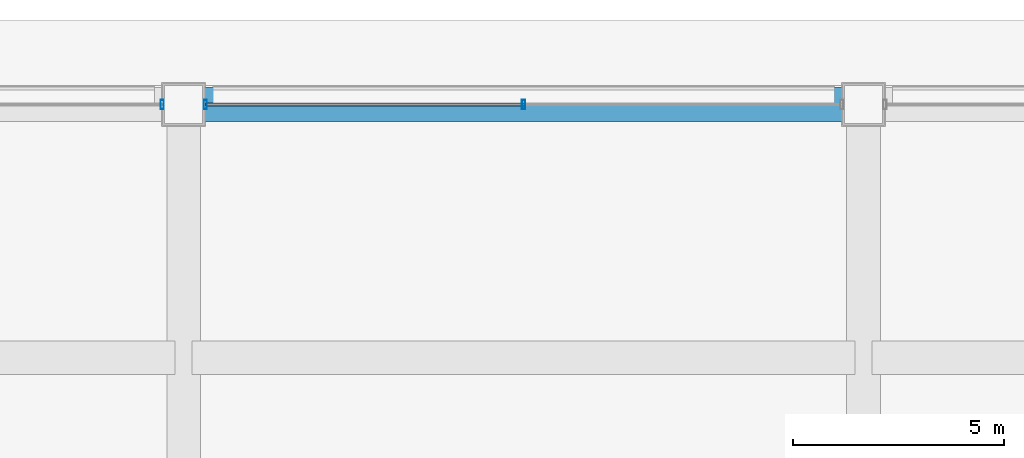
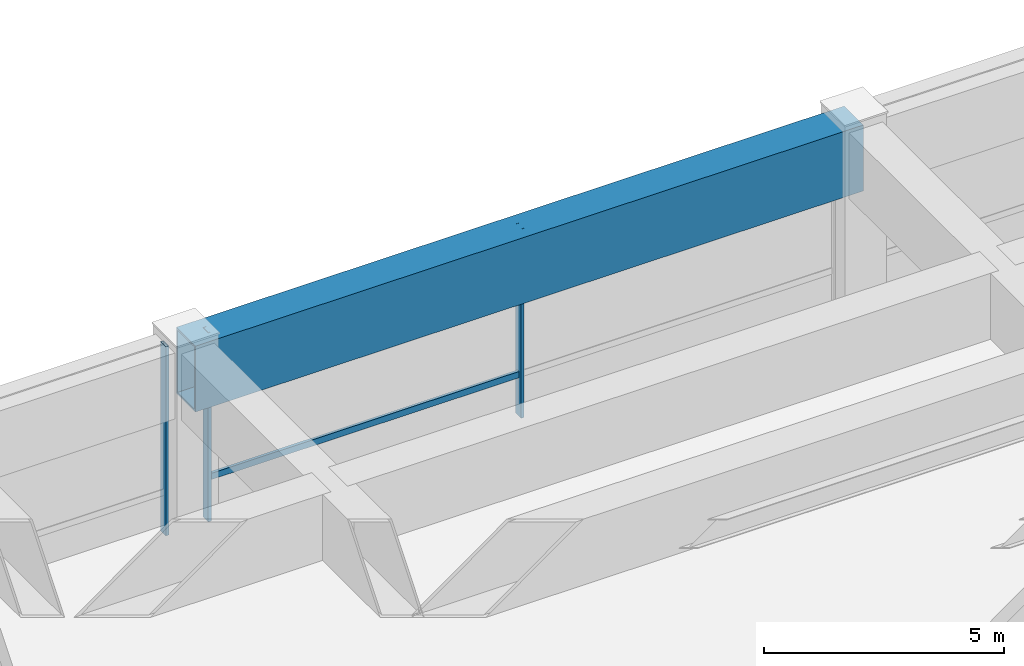
# One storey, part 19 of 30: 4 members, 1 beam, 2 elements without a shape of their own.
"""IFC4 building model written with IfcOpenShell, lengths in metres."""

from ifc_helpers import new_model, si_unit, direction, frame, origin, origin_2d, place, context, subcontext, project, spatial, hollow_rectangle, extrude, material, layer, layer_set, material_profile, profile_set, type_object, element, aggregate, save


model = new_model("IFC4")

# Units and contexts
model_context = context("Model", 3, precision=1e-05, world=origin(), true_north=direction((0.0, 1.0)))
body_context = subcontext(model_context, "Body", "Model", "MODEL_VIEW")
ifc_project = project(units=[si_unit("LENGTHUNIT", "METRE"), si_unit("AREAUNIT", "SQUARE_METRE"), si_unit("VOLUMEUNIT", "CUBIC_METRE"), si_unit("PLANEANGLEUNIT", "RADIAN"), si_unit("MASSUNIT", "GRAM", prefix="KILO")], contexts=[model_context])

# Site, building, storey
site_placement = place(None, origin())
site = spatial("IfcSite", under=ifc_project, at=site_placement, CompositionType="ELEMENT")
building_placement = place(site_placement, origin())
building = spatial("IfcBuilding", under=site, at=building_placement, Name="Brelmoor Portico Tower", CompositionType="ELEMENT")
storey_placement = place(building_placement, frame((0.0, 0.0, 19.199951171875)))
storey = spatial("IfcBuildingStorey", under=building, at=storey_placement, Name="L04", CompositionType="ELEMENT", Elevation=19.199951171875)

# Beam
ifc_material_1 = material(Name="Steel Q355B", Category="steel")
ifc_material_profile_1 = material_profile(ifc_material_1, hollow_rectangle(XDim=0.800048828125, YDim=1.679931640625, WallThickness=0.044921875, at=origin_2d()), Name="BOX 800x1680x45")
ifc_profile_set_1 = profile_set([ifc_material_profile_1], Name="Steel Q355B")
beam_type = type_object("IfcBeamType", Name="BM-TG-Z1", PredefinedType="BEAM", material=ifc_profile_set_1)
beam_placement = place(storey_placement, frame((-8.050048828125, 27.550048828125, 3.760009765625), z_axis=(1.0, 0.0, 0.0), x_axis=(0.0, 1.0, 0.0)))
element("IfcBeam", 1, at=beam_placement, inside=storey, type_object=beam_type, Name="L04 Perimeter Transfer Beam SP-11", PredefinedType="BEAM", context=body_context, shape_type="SweptSolid", body=[
    extrude(hollow_rectangle(XDim=0.800048828125, YDim=1.679931640625, WallThickness=0.044921875, at=origin_2d()), origin(), (0.0, 0.0, 1.0), 16.10009765625),
])

# Curtain wall, member
ifc_material_2 = material(Name="Anodised Aluminium Alloy 6063-T6", Category="aluminium")
ifc_layer = layer(ifc_material_2, 0.179931640625)
ifc_layer_set = layer_set([ifc_layer], Name="Anodised Aluminium Alloy 6063-T6")
curtain_wall_type = type_object("IfcCurtainWallType", Name="CW-PODIUM-ARCH", PredefinedType="NOTDEFINED", material=ifc_layer_set)
curtain_wall_1_placement = place(storey_placement, origin())
curtain_wall_1 = element("IfcCurtainWall", 2, at=curtain_wall_1_placement, inside=storey, type_object=curtain_wall_type, Name="L04 Curtain Wall CW-L04-02-3", PredefinedType="NOTDEFINED")
ifc_material_profile_2 = material_profile(ifc_material_2, hollow_rectangle(XDim=0.074951171875, YDim=0.219970703125, WallThickness=0.0048828125, at=origin_2d()), Name="ALU MULLION 75x220")
ifc_profile_set_2 = profile_set([ifc_material_profile_2], Name="Anodised Aluminium Alloy 6063-T6")
member_type_1 = type_object("IfcMemberType", Name="MB-CW-MULL-220", PredefinedType="MULLION", material=ifc_profile_set_2)
member_1_placement = place(storey_placement, frame((-8.56005859375, 27.550048828125, -0.219970703125), z_axis=(0.0, 0.0, 1.0), x_axis=(1.0, 0.0, 0.0)))
member_1 = element("IfcMember", 3, at=member_1_placement, type_object=member_type_1, Name="CW-L04-02-3 Mullion 01", PredefinedType="MULLION", context=body_context, shape_type="SweptSolid", body=[
    extrude(hollow_rectangle(XDim=0.074951171875, YDim=0.219970703125, WallThickness=0.0048828125, at=origin_2d()), origin(), (0.0, 0.0, 1.0), 4.820068359375),
])
aggregate(curtain_wall_1, [member_1])

# Curtain wall, members
curtain_wall_2_placement = place(storey_placement, origin())
curtain_wall_2 = element("IfcCurtainWall", 4, at=curtain_wall_2_placement, inside=storey, type_object=curtain_wall_type, Name="L04 Curtain Wall CW-L04-02-4", PredefinedType="NOTDEFINED")
member_2_placement = place(storey_placement, frame((-7.5400390625, 27.550048828125, -0.219970703125), z_axis=(0.0, 0.0, 1.0), x_axis=(1.0, 0.0, 0.0)))
member_2 = element("IfcMember", 5, at=member_2_placement, type_object=member_type_1, Name="CW-L04-02-4 Mullion 00", PredefinedType="MULLION", context=body_context, shape_type="SweptSolid", body=[
    extrude(hollow_rectangle(XDim=0.074951171875, YDim=0.219970703125, WallThickness=0.0048828125, at=origin_2d()), origin(), (0.0, 0.0, 1.0), 4.820068359375),
])
member_3_placement = place(storey_placement, frame((0.0, 27.550048828125, -0.219970703125), z_axis=(0.0, 0.0, 1.0), x_axis=(1.0, 0.0, 0.0)))
member_3 = element("IfcMember", 6, at=member_3_placement, type_object=member_type_1, Name="CW-L04-02-4 Mullion 01", PredefinedType="MULLION", context=body_context, shape_type="SweptSolid", body=[
    extrude(hollow_rectangle(XDim=0.074951171875, YDim=0.219970703125, WallThickness=0.0048828125, at=origin_2d()), origin(), (0.0, 0.0, 1.0), 4.820068359375),
])
ifc_material_profile_3 = material_profile(ifc_material_2, hollow_rectangle(XDim=0.070068359375, YDim=0.159912109375, WallThickness=0.00390625, at=origin_2d()), Name="ALU TRANSOM 70x160")
ifc_profile_set_3 = profile_set([ifc_material_profile_3], Name="Anodised Aluminium Alloy 6063-T6")
member_type_2 = type_object("IfcMemberType", Name="MB-CW-TRAN-160", PredefinedType="USERDEFINED", material=ifc_profile_set_3)
member_4_placement = place(storey_placement, frame((-7.5400390625, 27.550048828125, 0.85009765625), z_axis=(1.0, 0.0, 0.0), x_axis=(0.0, 1.0, 0.0)))
member_4 = element("IfcMember", 7, at=member_4_placement, type_object=member_type_2, Name="CW-L04-02-4 Transom 1-00", ObjectType="TRANSOM", PredefinedType="USERDEFINED", context=body_context, shape_type="SweptSolid", body=[
    extrude(hollow_rectangle(XDim=0.070068359375, YDim=0.159912109375, WallThickness=0.00390625, at=origin_2d()), origin(), (0.0, 0.0, 1.0), 7.5400390625),
])
aggregate(curtain_wall_2, [member_2, member_3, member_4])

save(model, "model.ifc")
